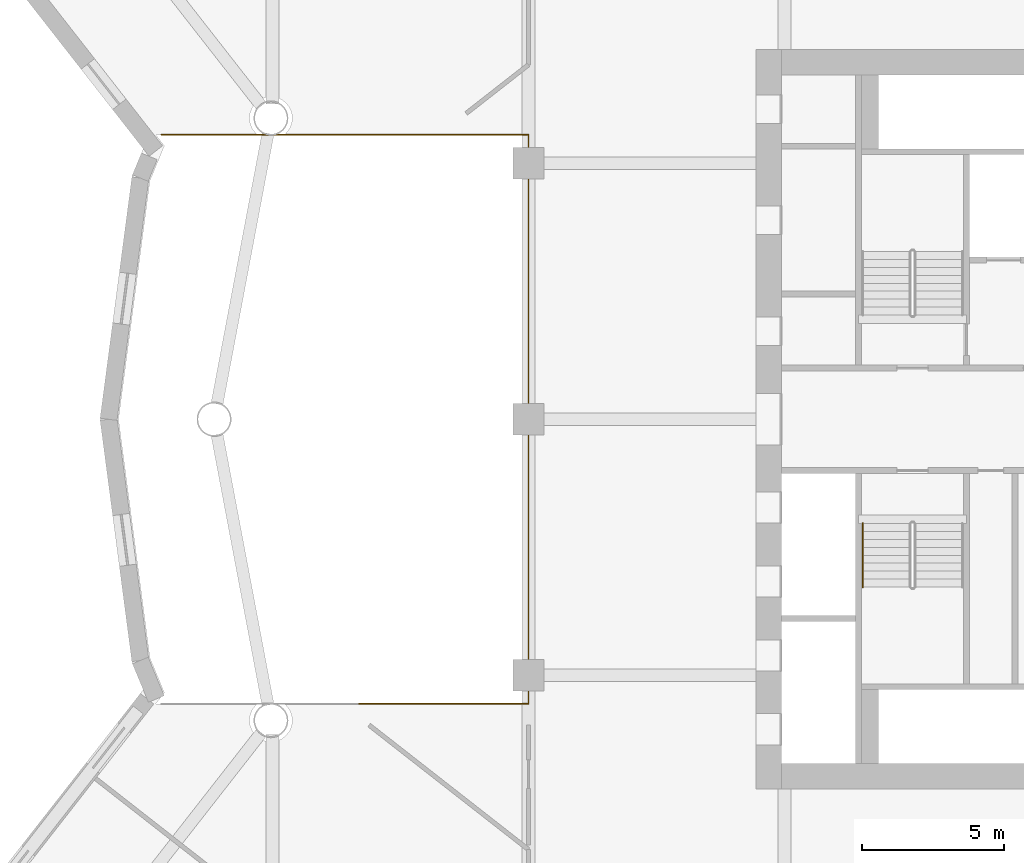
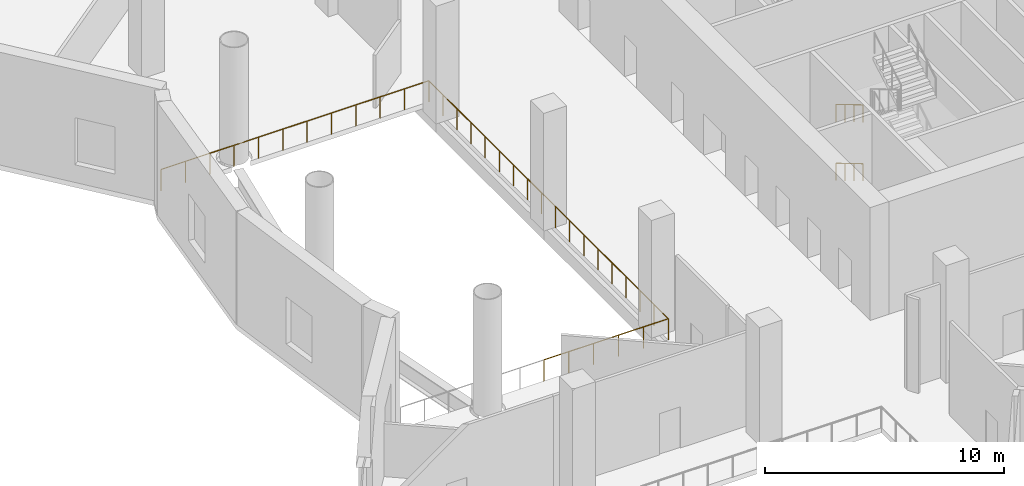
# One storey, part 21 of 24: 3 railings.
"""IFC4 building model written with IfcOpenShell, lengths in metres."""

from ifc_helpers import new_model, si_unit, direction, frame, origin, origin_2d, place, context, subcontext, project, spatial, circle, extrude, material, type_object, element, save


model = new_model("IFC4")

# Units and contexts
model_context = context("Model", 3, precision=1e-05, world=origin(), true_north=direction((0.0, 1.0)))
body_context = subcontext(model_context, "Body", "Model", "MODEL_VIEW")
ifc_project = project(units=[si_unit("LENGTHUNIT", "METRE"), si_unit("AREAUNIT", "SQUARE_METRE"), si_unit("VOLUMEUNIT", "CUBIC_METRE"), si_unit("PLANEANGLEUNIT", "RADIAN"), si_unit("MASSUNIT", "GRAM", prefix="KILO")], contexts=[model_context])

# Site, building, storey
site_placement = place(None, origin())
site = spatial("IfcSite", under=ifc_project, at=site_placement, CompositionType="ELEMENT")
building_placement = place(site_placement, origin())
building = spatial("IfcBuilding", under=site, at=building_placement, Name="Tarsis Ring Headquarters", CompositionType="ELEMENT")
storey_placement = place(building_placement, frame((0.0, 0.0, 8.0)))
storey = spatial("IfcBuildingStorey", under=building, at=storey_placement, Name="L01", CompositionType="ELEMENT", Elevation=8.0)

# Railings
ifc_material_1 = material(Name="Steel S355", Category="steel")
railing_type_1 = type_object("IfcRailingType", Name="Core stair handrail 900", PredefinedType="HANDRAIL", material=ifc_material_1)
for number, where, name in (
    (1, (-6.25, -3.659912109375, 0.166748046875), "L01 ST3 stair handrail 1"),
    (2, (-6.25, -3.659912109375, 3.166748046875), "L01 ST3 stair handrail 3"),
):
    element("IfcRailing", number, at=place(storey_placement, frame(where)), inside=storey, type_object=railing_type_1, Name=name, PredefinedType="HANDRAIL", context=body_context, shape_type="SweptSolid", body=[
        extrude(circle(Radius=0.02392578125, at=origin_2d()), frame((0.0, 0.0, 0.8759765625), z_axis=(0.0, -0.859305625298, 0.511462454469), x_axis=(1.0, 0.0, 0.0)), (0.0, 0.0, 1.0), 2.606689453125),
        extrude(circle(Radius=0.02099609375, at=origin_2d()), origin(), (0.0, 0.0, 1.0), 0.851806640625),
        extrude(circle(Radius=0.02099609375, at=origin_2d()), frame((0.0, -0.74658203125, 0.4443359375)), (0.0, 0.0, 1.0), 0.851806640625),
        extrude(circle(Radius=0.02099609375, at=origin_2d()), frame((0.0, -1.493408203125, 0.888916015625)), (0.0, 0.0, 1.0), 0.851806640625),
        extrude(circle(Radius=0.02099609375, at=origin_2d()), frame((0.0, -2.239990234375, 1.333251953125)), (0.0, 0.0, 1.0), 0.851806640625),
    ])
ifc_material_2 = material(Name="Stainless steel", Category="steel")
railing_type_2 = type_object("IfcRailingType", Name="PO-RL-G", PredefinedType="GUARDRAIL", material=ifc_material_2)
railing_placement = place(storey_placement, frame((-24.0, -10.0, 0.0)))
element("IfcRailing", 3, at=railing_placement, inside=storey, type_object=railing_type_2, Name="L01 void guard 3", PredefinedType="GUARDRAIL", context=body_context, shape_type="SweptSolid", body=[
    extrude(circle(Radius=0.02392578125, at=origin_2d()), frame((0.0, 0.0, 1.076171875), z_axis=(1.0, 0.0, 0.0), x_axis=(0.0, 1.0, 0.0)), (0.0, 0.0, 1.0), 6.0),
    extrude(circle(Radius=0.02392578125, at=origin_2d()), frame((6.0, 0.0, 1.076171875), z_axis=(0.0, 1.0, 0.0), x_axis=(-1.0, 0.0, 0.0)), (0.0, 0.0, 1.0), 20.0),
    extrude(circle(Radius=0.02392578125, at=origin_2d()), frame((6.0, 20.0, 1.076171875), z_axis=(-1.0, 0.0, 0.0), x_axis=(0.0, -1.0, 0.0)), (0.0, 0.0, 1.0), 12.908935546875),
    extrude(circle(Radius=0.02099609375, at=origin_2d()), origin(), (0.0, 0.0, 1.0), 1.052001953125),
    extrude(circle(Radius=0.02099609375, at=origin_2d()), frame((1.199951171875, 0.0, 0.0)), (0.0, 0.0, 1.0), 1.052001953125),
    extrude(circle(Radius=0.02099609375, at=origin_2d()), frame((2.39990234375, 0.0, 0.0)), (0.0, 0.0, 1.0), 1.052001953125),
    extrude(circle(Radius=0.02099609375, at=origin_2d()), frame((3.60009765625, 0.0, 0.0)), (0.0, 0.0, 1.0), 1.052001953125),
    extrude(circle(Radius=0.02099609375, at=origin_2d()), frame((4.800048828125, 0.0, 0.0)), (0.0, 0.0, 1.0), 1.052001953125),
    extrude(circle(Radius=0.02099609375, at=origin_2d()), frame((6.0, 0.0, 0.0)), (0.0, 0.0, 1.0), 1.052001953125),
    extrude(circle(Radius=0.02099609375, at=origin_2d()), frame((6.0, 1.176513671875, 0.0)), (0.0, 0.0, 1.0), 1.052001953125),
    extrude(circle(Radius=0.02099609375, at=origin_2d()), frame((6.0, 2.35302734375, 0.0)), (0.0, 0.0, 1.0), 1.052001953125),
    extrude(circle(Radius=0.02099609375, at=origin_2d()), frame((6.0, 3.529296875, 0.0)), (0.0, 0.0, 1.0), 1.052001953125),
    extrude(circle(Radius=0.02099609375, at=origin_2d()), frame((6.0, 4.705810546875, 0.0)), (0.0, 0.0, 1.0), 1.052001953125),
    extrude(circle(Radius=0.02099609375, at=origin_2d()), frame((6.0, 5.88232421875, 0.0)), (0.0, 0.0, 1.0), 1.052001953125),
    extrude(circle(Radius=0.02099609375, at=origin_2d()), frame((6.0, 7.058837890625, 0.0)), (0.0, 0.0, 1.0), 1.052001953125),
    extrude(circle(Radius=0.02099609375, at=origin_2d()), frame((6.0, 8.2353515625, 0.0)), (0.0, 0.0, 1.0), 1.052001953125),
    extrude(circle(Radius=0.02099609375, at=origin_2d()), frame((6.0, 9.411865234375, 0.0)), (0.0, 0.0, 1.0), 1.052001953125),
    extrude(circle(Radius=0.02099609375, at=origin_2d()), frame((6.0, 10.588134765625, 0.0)), (0.0, 0.0, 1.0), 1.052001953125),
    extrude(circle(Radius=0.02099609375, at=origin_2d()), frame((6.0, 11.7646484375, 0.0)), (0.0, 0.0, 1.0), 1.052001953125),
    extrude(circle(Radius=0.02099609375, at=origin_2d()), frame((6.0, 12.941162109375, 0.0)), (0.0, 0.0, 1.0), 1.052001953125),
    extrude(circle(Radius=0.02099609375, at=origin_2d()), frame((6.0, 14.11767578125, 0.0)), (0.0, 0.0, 1.0), 1.052001953125),
    extrude(circle(Radius=0.02099609375, at=origin_2d()), frame((6.0, 15.294189453125, 0.0)), (0.0, 0.0, 1.0), 1.052001953125),
    extrude(circle(Radius=0.02099609375, at=origin_2d()), frame((6.0, 16.470703125, 0.0)), (0.0, 0.0, 1.0), 1.052001953125),
    extrude(circle(Radius=0.02099609375, at=origin_2d()), frame((6.0, 17.64697265625, 0.0)), (0.0, 0.0, 1.0), 1.052001953125),
    extrude(circle(Radius=0.02099609375, at=origin_2d()), frame((6.0, 18.823486328125, 0.0)), (0.0, 0.0, 1.0), 1.052001953125),
    extrude(circle(Radius=0.02099609375, at=origin_2d()), frame((6.0, 20.0, 0.0)), (0.0, 0.0, 1.0), 1.052001953125),
    extrude(circle(Radius=0.02099609375, at=origin_2d()), frame((4.826416015625, 20.0, 0.0)), (0.0, 0.0, 1.0), 1.052001953125),
    extrude(circle(Radius=0.02099609375, at=origin_2d()), frame((3.65283203125, 20.0, 0.0)), (0.0, 0.0, 1.0), 1.052001953125),
    extrude(circle(Radius=0.02099609375, at=origin_2d()), frame((2.4794921875, 20.0, 0.0)), (0.0, 0.0, 1.0), 1.052001953125),
    extrude(circle(Radius=0.02099609375, at=origin_2d()), frame((1.305908203125, 20.0, 0.0)), (0.0, 0.0, 1.0), 1.052001953125),
    extrude(circle(Radius=0.02099609375, at=origin_2d()), frame((0.13232421875, 20.0, 0.0)), (0.0, 0.0, 1.0), 1.052001953125),
    extrude(circle(Radius=0.02099609375, at=origin_2d()), frame((-1.041259765625, 20.0, 0.0)), (0.0, 0.0, 1.0), 1.052001953125),
    extrude(circle(Radius=0.02099609375, at=origin_2d()), frame((-2.21484375, 20.0, 0.0)), (0.0, 0.0, 1.0), 1.052001953125),
    extrude(circle(Radius=0.02099609375, at=origin_2d()), frame((-3.388427734375, 20.0, 0.0)), (0.0, 0.0, 1.0), 1.052001953125),
    extrude(circle(Radius=0.02099609375, at=origin_2d()), frame((-4.561767578125, 20.0, 0.0)), (0.0, 0.0, 1.0), 1.052001953125),
    extrude(circle(Radius=0.02099609375, at=origin_2d()), frame((-5.7353515625, 20.0, 0.0)), (0.0, 0.0, 1.0), 1.052001953125),
    extrude(circle(Radius=0.02099609375, at=origin_2d()), frame((-6.908935546875, 20.0, 0.0)), (0.0, 0.0, 1.0), 1.052001953125),
])

save(model, "model.ifc")
